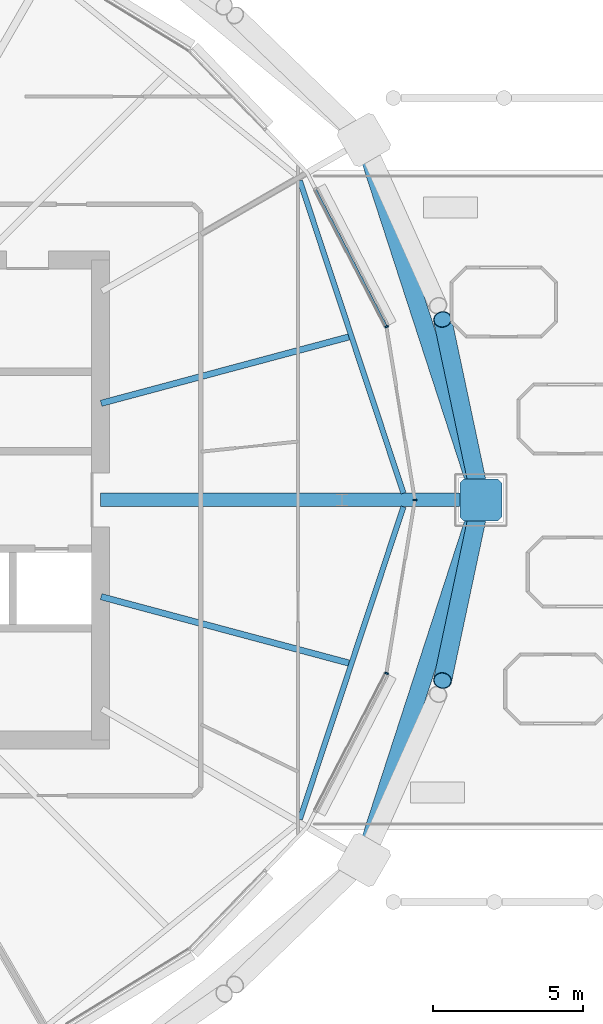
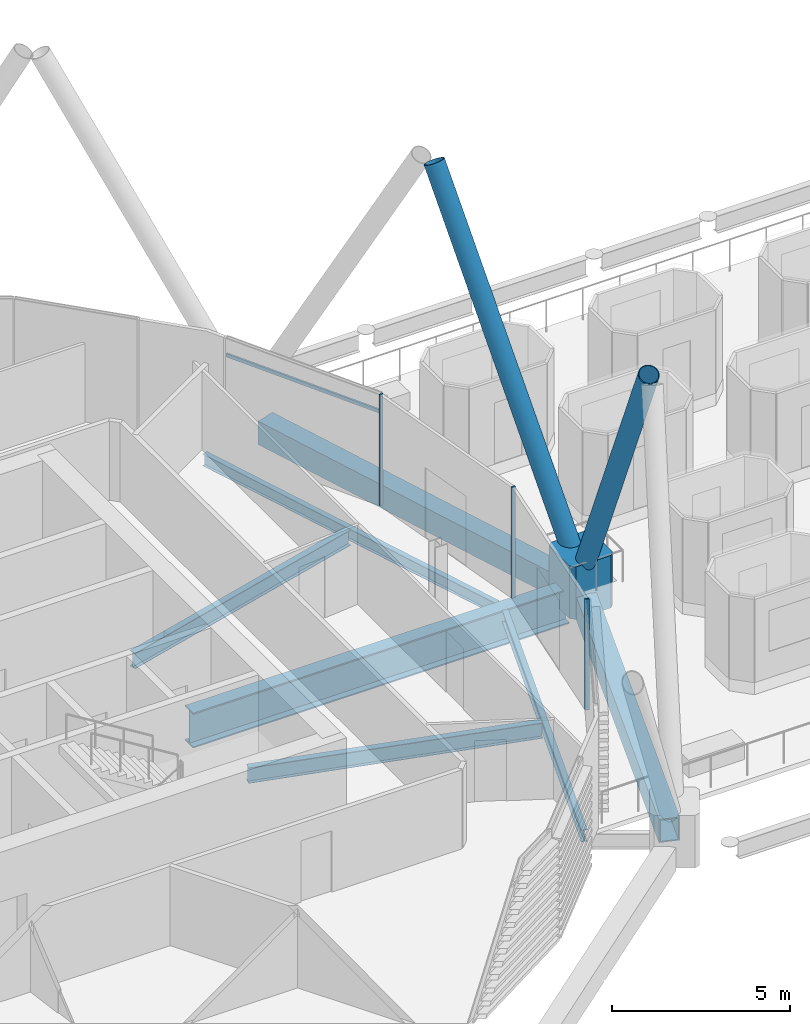
# One storey, part 8 of 38: 7 beams, 7 members, 1 element without a shape of its own.
"""IFC4 building model written with IfcOpenShell, lengths in metres."""

from ifc_helpers import new_model, si_unit, direction, frame, origin, origin_2d, place, context, subcontext, project, spatial, polyline, rectangle, hollow_rectangle, hollow_circle, i_section, outline, extrude, material, material_profile, profile_set, type_object, element, aggregate, save


model = new_model("IFC4")

# Units and contexts
model_context = context("Model", 3, precision=1e-05, world=origin(), true_north=direction((0.0, 1.0)))
body_context = subcontext(model_context, "Body", "Model", "MODEL_VIEW")
ifc_project = project(units=[si_unit("LENGTHUNIT", "METRE"), si_unit("AREAUNIT", "SQUARE_METRE"), si_unit("VOLUMEUNIT", "CUBIC_METRE"), si_unit("PLANEANGLEUNIT", "RADIAN"), si_unit("MASSUNIT", "GRAM", prefix="KILO")], contexts=[model_context])

# Site, building, storey
site_placement = place(None, origin())
site = spatial("IfcSite", under=ifc_project, at=site_placement, CompositionType="ELEMENT")
building_placement = place(site_placement, origin())
building = spatial("IfcBuilding", under=site, at=building_placement, Name="Rimbun Link Towers", CompositionType="ELEMENT")
storey_placement = place(building_placement, frame((0.0, 0.0, 158.89990234375)))
storey = spatial("IfcBuildingStorey", under=building, at=storey_placement, Name="L38", CompositionType="ELEMENT", Elevation=158.89990234375)

# Curtain wall, members
ifc_material_1 = material(Name="Aluminium 6063-T6 and low-iron glass", Category="aluminium")
curtain_wall_type = type_object("IfcCurtainWallType", Name="CW1-Z3 unitised vision wall (zone 3)", PredefinedType="NOTDEFINED", material=ifc_material_1)
curtain_wall_placement = place(storey_placement, origin())
curtain_wall = element("IfcCurtainWall", 1, at=curtain_wall_placement, inside=storey, type_object=curtain_wall_type, Name="CW1 L38 T1", PredefinedType="NOTDEFINED")
ifc_material_2 = material(Name="Aluminium 6063-T6", Category="aluminium")
ifc_material_profile_1 = material_profile(ifc_material_2, rectangle(XDim=0.1201171875, YDim=0.06005859375, at=origin_2d()), Name="MULLION 60X120")
ifc_profile_set_1 = profile_set([ifc_material_profile_1], Name="Aluminium 6063-T6")
member_type_1 = type_object("IfcMemberType", Name="CW1 mullion 60X120", PredefinedType="MULLION", material=ifc_profile_set_1)
member_1_placement = place(storey_placement, frame((-10.203857421875, 5.77685546875, 0.0), z_axis=(0.0, 0.0, 1.0), x_axis=(0.949160130292, 0.314793657917, 0.0)))
member_1 = element("IfcMember", 2, at=member_1_placement, type_object=member_type_1, Name="CW1 mullion", PredefinedType="MULLION", context=body_context, shape_type="SweptSolid", body=[
    extrude(rectangle(XDim=0.1201171875, YDim=0.06005859375, at=origin_2d()), origin(), (0.0, 0.0, 1.0), 3.800048828125),
])
member_2_placement = place(storey_placement, frame((-9.25390625, 0.0, 0.0), z_axis=(0.0, 0.0, 1.0), x_axis=(1.0, 0.0, 0.0)))
member_2 = element("IfcMember", 3, at=member_2_placement, type_object=member_type_1, Name="CW1 mullion", PredefinedType="MULLION", context=body_context, shape_type="SweptSolid", body=[
    extrude(rectangle(XDim=0.1201171875, YDim=0.06005859375, at=origin_2d()), origin(), (0.0, 0.0, 1.0), 3.800048828125),
])
member_3_placement = place(storey_placement, frame((-10.203857421875, -5.77685546875, 0.0), z_axis=(0.0, 0.0, 1.0), x_axis=(0.949160130292, -0.314793657917, 0.0)))
member_3 = element("IfcMember", 4, at=member_3_placement, type_object=member_type_1, Name="CW1 mullion", PredefinedType="MULLION", context=body_context, shape_type="SweptSolid", body=[
    extrude(rectangle(XDim=0.1201171875, YDim=0.06005859375, at=origin_2d()), origin(), (0.0, 0.0, 1.0), 3.800048828125),
])
ifc_material_3 = material(Name="Aluminium 6063-T6", Category="aluminium")
ifc_material_profile_2 = material_profile(ifc_material_3, rectangle(XDim=0.06005859375, YDim=0.1201171875, at=origin_2d()), Name="TRANSOM 60X120")
ifc_profile_set_2 = profile_set([ifc_material_profile_2], Name="Aluminium 6063-T6")
member_type_2 = type_object("IfcMemberType", Name="CW1 transom 60X120", PredefinedType="USERDEFINED", material=ifc_profile_set_2)
member_4_placement = place(storey_placement, frame((-12.56884765625, 10.344482421875, 3.2001953125), z_axis=(0.459568651835, -0.888142248883, 0.0), x_axis=(0.888142248883, 0.459568651835, 0.0)))
member_4 = element("IfcMember", 5, at=member_4_placement, type_object=member_type_2, Name="CW1 transom", ObjectType="TRANSOM", PredefinedType="USERDEFINED", context=body_context, shape_type="SweptSolid", body=[
    extrude(rectangle(XDim=0.06005859375, YDim=0.1201171875, at=origin_2d()), origin(), (0.0, 0.0, 1.0), 5.104248046875),
])
aggregate(curtain_wall, [member_1, member_2, member_3, member_4])

# Members
ifc_material_4 = material(Name="Steel S355J2H", Category="steel")
ifc_material_profile_3 = material_profile(ifc_material_4, hollow_circle(Radius=0.3046875, WallThickness=0.02490234375, at=origin_2d()), Name="Diagrid diagonal CHS 610x25")
ifc_profile_set_3 = profile_set([ifc_material_profile_3], Name="Steel S355J2H")
member_type_3 = type_object("IfcMemberType", Name="Diagrid diagonal CHS 610x25", PredefinedType="BRACE", material=ifc_profile_set_3)
for number, where, z_axis, x_axis, name in (
    (6, (-7.11474609375, -0.239501953125, 0.43603515625), (-0.101556780837, -0.478764792178, 0.872049593794), (0.978233870941, -0.207505406541, 0.0), "Diagrid diagonal T1 L38-L41 00a"),
    (7, (-7.11474609375, 0.239501953125, 0.43603515625), (-0.101556780837, 0.478764792178, 0.872049593794), (-0.978233870941, -0.207505406541, 0.0), "Diagrid diagonal T1 L38-L41 00b"),
):
    element("IfcMember", number, at=place(storey_placement, frame(where, z_axis=z_axis, x_axis=x_axis)), inside=storey, type_object=member_type_3, Name=name, PredefinedType="BRACE", context=body_context, shape_type="SweptSolid", body=[
        extrude(hollow_circle(Radius=0.3046875, WallThickness=0.02490234375, at=origin_2d()), origin(), (0.0, 0.0, 1.0), 12.07275390625),
    ])
ifc_material_5 = material(Name="Cast steel G20Mn5+QT, Rp0.2 300 MPa", Category="steel")
ifc_material_profile_4 = material_profile(ifc_material_5, outline(polyline([(0.699951171875, -0.570068359375), (0.699951171875, 0.570068359375), (0.570068359375, 0.699951171875), (-0.570068359375, 0.699951171875), (-0.699951171875, 0.570068359375), (-0.699951171875, -0.570068359375), (-0.570068359375, -0.699951171875), (0.570068359375, -0.699951171875), (0.699951171875, -0.570068359375)])), Name="NODE 1400x1400")
ifc_profile_set_4 = profile_set([ifc_material_profile_4], Name="Cast steel G20Mn5+QT, Rp0.2 300 MPa")
member_type_4 = type_object("IfcMemberType", Name="Diagrid node cast 1400", PredefinedType="USERDEFINED", material=ifc_profile_set_4)
member_5_placement = place(storey_placement, frame((-7.06396484375, 0.0, -0.89990234375), z_axis=(0.0, 0.0, 1.0), x_axis=(1.0, 0.0, 0.0)))
element("IfcMember", 8, at=member_5_placement, inside=storey, type_object=member_type_4, Name="Diagrid node L38 00", ObjectType="Diagrid node", PredefinedType="USERDEFINED", context=body_context, shape_type="SweptSolid", body=[
    extrude(outline(polyline([(0.699951171875, -0.570068359375), (0.699951171875, 0.570068359375), (0.570068359375, 0.699951171875), (-0.570068359375, 0.699951171875), (-0.699951171875, 0.570068359375), (-0.699951171875, -0.570068359375), (-0.570068359375, -0.699951171875), (0.570068359375, -0.699951171875), (0.699951171875, -0.570068359375)])), origin(), (0.0, 0.0, 1.0), 1.800048828125),
])

# Beams
ifc_material_6 = material(Name="Steel S355J2", Category="steel")
ifc_material_profile_5 = material_profile(ifc_material_6, hollow_rectangle(XDim=0.60009765625, YDim=0.800048828125, WallThickness=0.0400390625, at=origin_2d()), Name="Exoskeleton ring girder BOX 600x800x40")
ifc_profile_set_5 = profile_set([ifc_material_profile_5], Name="Steel S355J2")
beam_type_1 = type_object("IfcBeamType", Name="Exoskeleton ring girder BOX 600x800x40", PredefinedType="BEAM", material=ifc_profile_set_5)
for number, where, z_axis, x_axis, name in (
    (9, (-7.2802734375, 0.665771484375, -0.559814453125), (-0.308828228969, 0.951117829184, 0.0), (-0.951117829184, -0.308828228969, 0.0), "Exoskeleton ring girder L38 00"),
    (10, (-10.7451171875, -11.336669921875, -0.559814453125), (0.308828228969, 0.951117829184, 0.0), (-0.951117829184, 0.308828228969, 0.0), "Exoskeleton ring girder L38 08"),
):
    element("IfcBeam", number, at=place(storey_placement, frame(where, z_axis=z_axis, x_axis=x_axis)), inside=storey, type_object=beam_type_1, Name=name, PredefinedType="BEAM", context=body_context, shape_type="SweptSolid", body=[
        extrude(hollow_rectangle(XDim=0.60009765625, YDim=0.800048828125, WallThickness=0.0400390625, at=origin_2d()), origin(), (0.0, 0.0, 1.0), 11.21923828125),
    ])
ifc_material_7 = material(Name="Steel S355J2", Category="steel")
ifc_material_profile_6 = material_profile(ifc_material_7, i_section(OverallWidth=0.449951171875, OverallDepth=1.199951171875, WebThickness=0.030029296875, FlangeThickness=0.044921875, at=origin_2d()), Name="PG 1200x450x30/45")
ifc_profile_set_6 = profile_set([ifc_material_profile_6], Name="Steel S355J2")
beam_type_2 = type_object("IfcBeamType", Name="PG 1200x450x30/45", PredefinedType="BEAM", material=ifc_profile_set_6)
beam_placement = place(storey_placement, frame((-19.7490234375, 0.0, -0.75), z_axis=(1.0, 0.0, 0.0), x_axis=(0.0, 1.0, 0.0)))
element("IfcBeam", 11, at=beam_placement, inside=storey, type_object=beam_type_2, Name="Radial beam T1 L38 00", PredefinedType="BEAM", context=body_context, shape_type="SweptSolid", body=[
    extrude(i_section(OverallWidth=0.449951171875, OverallDepth=1.199951171875, WebThickness=0.030029296875, FlangeThickness=0.044921875, at=origin_2d()), origin(), (0.0, 0.0, 1.0), 12.18505859375),
])
ifc_material_8 = material(Name="Steel S355J2", Category="steel")
ifc_material_profile_7 = material_profile(ifc_material_8, i_section(OverallWidth=0.177978515625, OverallDepth=0.406494140625, WebThickness=0.0078125, FlangeThickness=0.0126953125, at=origin_2d()), Name="UB 406x178x60")
ifc_profile_set_7 = profile_set([ifc_material_profile_7], Name="Steel S355J2")
beam_type_3 = type_object("IfcBeamType", Name="UB 406x178x60", PredefinedType="BEAM", material=ifc_profile_set_7)
for number, where, z_axis, x_axis, name in (
    (12, (-9.642333984375, 0.225830078125, -0.35302734375), (-0.314839802111, 0.949144825096, 0.0), (-0.949144825096, -0.314839802111, 0.0), "Edge beam T1 L38 00-02"),
    (13, (-13.098876953125, -10.646240234375, -0.35302734375), (0.314839802111, 0.949144825096, 0.0), (-0.949144825096, 0.314839802111, 0.0), "Edge beam T1 L38 22-00"),
):
    element("IfcBeam", number, at=place(storey_placement, frame(where, z_axis=z_axis, x_axis=x_axis)), inside=storey, type_object=beam_type_3, Name=name, PredefinedType="BEAM", context=body_context, shape_type="SweptSolid", body=[
        extrude(i_section(OverallWidth=0.177978515625, OverallDepth=0.406494140625, WebThickness=0.0078125, FlangeThickness=0.0126953125, at=origin_2d()), origin(), (0.0, 0.0, 1.0), 10.978759765625),
    ])
ifc_material_9 = material(Name="Steel S355J2", Category="steel")
ifc_material_profile_8 = material_profile(ifc_material_9, i_section(OverallWidth=0.209228515625, OverallDepth=0.533203125, WebThickness=0.010009765625, FlangeThickness=0.015625, at=origin_2d()), Name="UB 533x210x92")
ifc_profile_set_8 = profile_set([ifc_material_profile_8], Name="Steel S355J2")
beam_type_4 = type_object("IfcBeamType", Name="UB 533x210x92", PredefinedType="BEAM", material=ifc_profile_set_8)
for number, where, z_axis, x_axis, name in (
    (14, (-19.721923828125, 3.222900390625, -0.41650390625), (0.965926123949, 0.258817934217, 0.0), (-0.258817934217, 0.965926123949, 0.0), "Radial beam T1 L38 01"),
    (15, (-19.721923828125, -3.222900390625, -0.41650390625), (0.965926123949, -0.258817934217, 0.0), (0.258817934217, 0.965926123949, 0.0), "Radial beam T1 L38 23"),
):
    element("IfcBeam", number, at=place(storey_placement, frame(where, z_axis=z_axis, x_axis=x_axis)), inside=storey, type_object=beam_type_4, Name=name, PredefinedType="BEAM", context=body_context, shape_type="SweptSolid", body=[
        extrude(i_section(OverallWidth=0.209228515625, OverallDepth=0.533203125, WebThickness=0.010009765625, FlangeThickness=0.015625, at=origin_2d()), origin(), (0.0, 0.0, 1.0), 8.548095703125),
    ])

save(model, "model.ifc")
